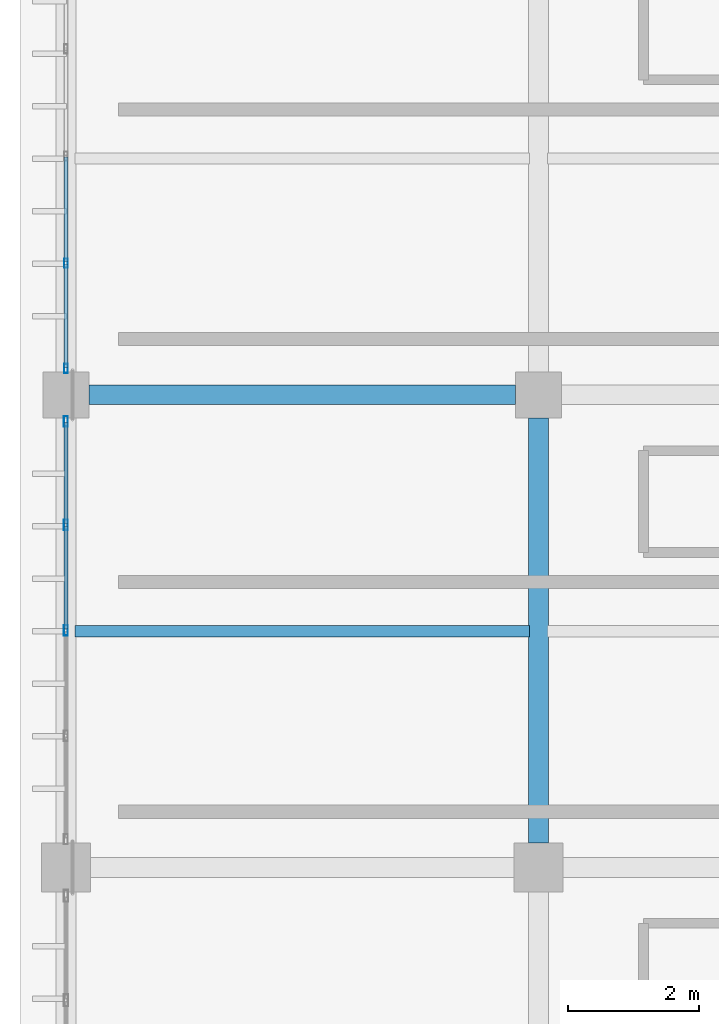
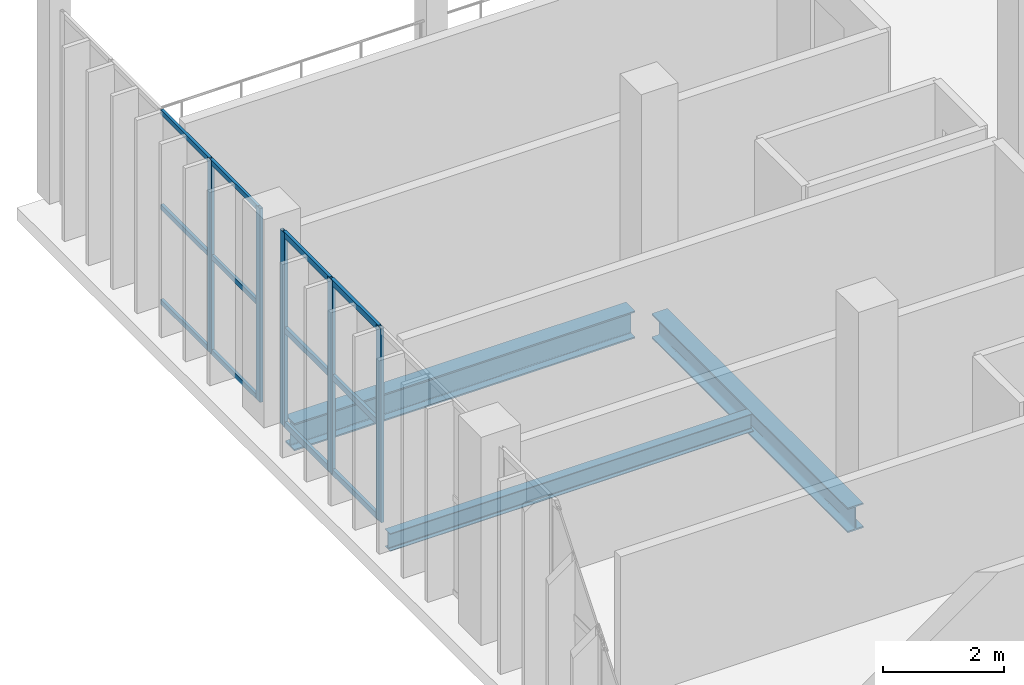
# One storey, part 56 of 130: 17 members, 3 beams, 2 elements without a shape of their own.
"""IFC4 building model written with IfcOpenShell, lengths in metres."""

from ifc_helpers import new_model, si_unit, direction, frame, origin, origin_2d, place, context, subcontext, project, spatial, hollow_rectangle, i_section, extrude, material, material_profile, profile_set, type_object, element, aggregate, save


model = new_model("IFC4")

# Units and contexts
model_context = context("Model", 3, precision=1e-05, world=origin(), true_north=direction((0.0, 1.0)))
body_context = subcontext(model_context, "Body", "Model", "MODEL_VIEW")
ifc_project = project(units=[si_unit("LENGTHUNIT", "METRE"), si_unit("AREAUNIT", "SQUARE_METRE"), si_unit("VOLUMEUNIT", "CUBIC_METRE"), si_unit("PLANEANGLEUNIT", "RADIAN"), si_unit("MASSUNIT", "GRAM", prefix="KILO")], contexts=[model_context])

# Site, building, storey
site_placement = place(None, origin())
site = spatial("IfcSite", under=ifc_project, at=site_placement, CompositionType="ELEMENT")
building_placement = place(site_placement, origin())
building = spatial("IfcBuilding", under=site, at=building_placement, Name="Qandorah Velis Arena", CompositionType="ELEMENT")
storey_placement = place(building_placement, frame((0.0, 0.0, 9.60009765625)))
storey = spatial("IfcBuildingStorey", under=building, at=storey_placement, Name="L02", CompositionType="ELEMENT", Elevation=9.60009765625)

# Curtain wall, members
ifc_material_1 = material(Name="Solar-control low-E double glazing", Category="glass")
curtain_wall_type_1 = type_object("IfcCurtainWallType", Name="ARC-CW-SYS20", PredefinedType="USERDEFINED", material=ifc_material_1)
curtain_wall_1_placement = place(storey_placement, origin())
curtain_wall_1 = element("IfcCurtainWall", 1, at=curtain_wall_1_placement, inside=storey, type_object=curtain_wall_type_1, Name="Unitised curtain wall L02-020", ObjectType="UNITISED CURTAIN WALL", PredefinedType="USERDEFINED")
ifc_material_2 = material(Name="Champagne-bronze anodized aluminium 6063-T6", Category="aluminium")
ifc_material_profile_1 = material_profile(ifc_material_2, hollow_rectangle(XDim=0.054931640625, YDim=0.139892578125, WallThickness=0.0029296875, at=origin_2d()), Name="ALU MULLION 55x140")
ifc_profile_set_1 = profile_set([ifc_material_profile_1], Name="Champagne-bronze anodized aluminium 6063-T6")
member_type_1 = type_object("IfcMemberType", Name="ARC-CWM-140", PredefinedType="MULLION", material=ifc_profile_set_1)
member_1_placement = place(storey_placement, frame((0.0, 108.402587890625, -0.01513671875), z_axis=(0.0, 0.0, 1.0), x_axis=(-1.0, 0.0, 0.0)))
member_1 = element("IfcMember", 2, at=member_1_placement, type_object=member_type_1, Name="CW20 mullion 1", PredefinedType="MULLION", context=body_context, shape_type="SweptSolid", body=[
    extrude(hollow_rectangle(XDim=0.054931640625, YDim=0.139892578125, WallThickness=0.0029296875, at=origin_2d()), origin(), (0.0, 0.0, 1.0), 3.91015625),
])
member_2_placement = place(storey_placement, frame((0.0, 110.00634765625, -0.01513671875), z_axis=(0.0, 0.0, 1.0), x_axis=(-1.0, 0.0, 0.0)))
member_2 = element("IfcMember", 3, at=member_2_placement, type_object=member_type_1, Name="CW20 mullion 2", PredefinedType="MULLION", context=body_context, shape_type="SweptSolid", body=[
    extrude(hollow_rectangle(XDim=0.054931640625, YDim=0.139892578125, WallThickness=0.0029296875, at=origin_2d()), origin(), (0.0, 0.0, 1.0), 3.91015625),
])

curtain_wall_type_2 = type_object("IfcCurtainWallType", Name="ARC-CW-SYS19", PredefinedType="USERDEFINED", material=ifc_material_1)
curtain_wall_2_placement = place(storey_placement, origin())
curtain_wall_2 = element("IfcCurtainWall", 4, at=curtain_wall_2_placement, inside=storey, type_object=curtain_wall_type_2, Name="Unitised curtain wall L02-019", ObjectType="UNITISED CURTAIN WALL", PredefinedType="USERDEFINED")
ifc_material_profile_2 = material_profile(ifc_material_2, hollow_rectangle(XDim=0.06005859375, YDim=0.159912109375, WallThickness=0.00341796875, at=origin_2d()), Name="ALU MULLION 60x160")
ifc_profile_set_2 = profile_set([ifc_material_profile_2], Name="Champagne-bronze anodized aluminium 6063-T6")
member_type_2 = type_object("IfcMemberType", Name="ARC-CWM-160", PredefinedType="MULLION", material=ifc_profile_set_2)
member_3_placement = place(storey_placement, frame((0.0, 104.41259765625, -0.01513671875), z_axis=(0.0, 0.0, 1.0), x_axis=(-1.0, 0.0, 0.0)))
member_3 = element("IfcMember", 5, at=member_3_placement, type_object=member_type_2, Name="CW19 mullion 3", PredefinedType="MULLION", context=body_context, shape_type="SweptSolid", body=[
    extrude(hollow_rectangle(XDim=0.06005859375, YDim=0.159912109375, WallThickness=0.00341796875, at=origin_2d()), origin(), (0.0, 0.0, 1.0), 3.91015625),
])
member_4_placement = place(storey_placement, frame((0.0, 106.018798828125, -0.01513671875), z_axis=(0.0, 0.0, 1.0), x_axis=(-1.0, 0.0, 0.0)))
member_4 = element("IfcMember", 6, at=member_4_placement, type_object=member_type_2, Name="CW19 mullion 4", PredefinedType="MULLION", context=body_context, shape_type="SweptSolid", body=[
    extrude(hollow_rectangle(XDim=0.06005859375, YDim=0.159912109375, WallThickness=0.00341796875, at=origin_2d()), origin(), (0.0, 0.0, 1.0), 3.91015625),
])
member_5_placement = place(storey_placement, frame((0.0, 107.594970703125, -0.01513671875), z_axis=(0.0, 0.0, 1.0), x_axis=(-1.0, 0.0, 0.0)))
member_5 = element("IfcMember", 7, at=member_5_placement, type_object=member_type_2, Name="CW19 mullion 5", PredefinedType="MULLION", context=body_context, shape_type="SweptSolid", body=[
    extrude(hollow_rectangle(XDim=0.06005859375, YDim=0.159912109375, WallThickness=0.00341796875, at=origin_2d()), origin(), (0.0, 0.0, 1.0), 3.91015625),
])

# Member
ifc_material_profile_3 = material_profile(ifc_material_2, hollow_rectangle(XDim=0.054931640625, YDim=0.10009765625, WallThickness=0.0029296875, at=origin_2d()), Name="ALU TRANSOM 55x100")
ifc_profile_set_3 = profile_set([ifc_material_profile_3], Name="Champagne-bronze anodized aluminium 6063-T6")
member_type_3 = type_object("IfcMemberType", Name="ARC-CWT-100", PredefinedType="USERDEFINED", material=ifc_profile_set_3)
member_6_placement = place(storey_placement, frame((0.0, 108.41796875, 0.02734375), z_axis=(0.0, 1.0, 0.0), x_axis=(-1.0, 0.0, 0.0)))
member_6 = element("IfcMember", 8, at=member_6_placement, type_object=member_type_3, Name="CW20 transom 1.1", ObjectType="TRANSOM", PredefinedType="USERDEFINED", context=body_context, shape_type="SweptSolid", body=[
    extrude(hollow_rectangle(XDim=0.054931640625, YDim=0.10009765625, WallThickness=0.0029296875, at=origin_2d()), origin(), (0.0, 0.0, 1.0), 1.57275390625),
])

member_7_placement = place(storey_placement, frame((0.0, 108.41796875, 1.93994140625), z_axis=(0.0, 1.0, 0.0), x_axis=(-1.0, 0.0, 0.0)))
member_7 = element("IfcMember", 9, at=member_7_placement, type_object=member_type_3, Name="CW20 transom 1.2", ObjectType="TRANSOM", PredefinedType="USERDEFINED", context=body_context, shape_type="SweptSolid", body=[
    extrude(hollow_rectangle(XDim=0.054931640625, YDim=0.10009765625, WallThickness=0.0029296875, at=origin_2d()), origin(), (0.0, 0.0, 1.0), 1.57275390625),
])

member_8_placement = place(storey_placement, frame((0.0, 108.41796875, 3.852294921875), z_axis=(0.0, 1.0, 0.0), x_axis=(-1.0, 0.0, 0.0)))
member_8 = element("IfcMember", 10, at=member_8_placement, type_object=member_type_3, Name="CW20 transom 1.3", ObjectType="TRANSOM", PredefinedType="USERDEFINED", context=body_context, shape_type="SweptSolid", body=[
    extrude(hollow_rectangle(XDim=0.054931640625, YDim=0.10009765625, WallThickness=0.0029296875, at=origin_2d()), origin(), (0.0, 0.0, 1.0), 1.57275390625),
])

member_9_placement = place(storey_placement, frame((0.0, 110.021728515625, 0.02734375), z_axis=(0.0, 1.0, 0.0), x_axis=(-1.0, 0.0, 0.0)))
member_9 = element("IfcMember", 11, at=member_9_placement, type_object=member_type_3, Name="CW20 transom 2.1", ObjectType="TRANSOM", PredefinedType="USERDEFINED", context=body_context, shape_type="SweptSolid", body=[
    extrude(hollow_rectangle(XDim=0.054931640625, YDim=0.10009765625, WallThickness=0.0029296875, at=origin_2d()), origin(), (0.0, 0.0, 1.0), 1.600341796875),
])

member_10_placement = place(storey_placement, frame((0.0, 110.021728515625, 1.93994140625), z_axis=(0.0, 1.0, 0.0), x_axis=(-1.0, 0.0, 0.0)))
member_10 = element("IfcMember", 12, at=member_10_placement, type_object=member_type_3, Name="CW20 transom 2.2", ObjectType="TRANSOM", PredefinedType="USERDEFINED", context=body_context, shape_type="SweptSolid", body=[
    extrude(hollow_rectangle(XDim=0.054931640625, YDim=0.10009765625, WallThickness=0.0029296875, at=origin_2d()), origin(), (0.0, 0.0, 1.0), 1.600341796875),
])

member_11_placement = place(storey_placement, frame((0.0, 110.021728515625, 3.852294921875), z_axis=(0.0, 1.0, 0.0), x_axis=(-1.0, 0.0, 0.0)))
member_11 = element("IfcMember", 13, at=member_11_placement, type_object=member_type_3, Name="CW20 transom 2.3", ObjectType="TRANSOM", PredefinedType="USERDEFINED", context=body_context, shape_type="SweptSolid", body=[
    extrude(hollow_rectangle(XDim=0.054931640625, YDim=0.10009765625, WallThickness=0.0029296875, at=origin_2d()), origin(), (0.0, 0.0, 1.0), 1.600341796875),
])

aggregate(curtain_wall_1, [member_1, member_2, member_6, member_7, member_8, member_9, member_10, member_11])

ifc_material_profile_4 = material_profile(ifc_material_2, hollow_rectangle(XDim=0.06005859375, YDim=0.1201171875, WallThickness=0.0029296875, at=origin_2d()), Name="ALU TRANSOM 60x120")
ifc_profile_set_4 = profile_set([ifc_material_profile_4], Name="Champagne-bronze anodized aluminium 6063-T6")
member_type_4 = type_object("IfcMemberType", Name="ARC-CWT-120", PredefinedType="USERDEFINED", material=ifc_profile_set_4)
member_12_placement = place(storey_placement, frame((0.0, 104.430419921875, 0.02978515625), z_axis=(0.0, 1.0, 0.0), x_axis=(-1.0, 0.0, 0.0)))
member_12 = element("IfcMember", 14, at=member_12_placement, type_object=member_type_4, Name="CW19 transom 3.1", ObjectType="TRANSOM", PredefinedType="USERDEFINED", context=body_context, shape_type="SweptSolid", body=[
    extrude(hollow_rectangle(XDim=0.06005859375, YDim=0.1201171875, WallThickness=0.0029296875, at=origin_2d()), origin(), (0.0, 0.0, 1.0), 1.5703125),
])

member_13_placement = place(storey_placement, frame((0.0, 104.430419921875, 1.93994140625), z_axis=(0.0, 1.0, 0.0), x_axis=(-1.0, 0.0, 0.0)))
member_13 = element("IfcMember", 15, at=member_13_placement, type_object=member_type_4, Name="CW19 transom 3.2", ObjectType="TRANSOM", PredefinedType="USERDEFINED", context=body_context, shape_type="SweptSolid", body=[
    extrude(hollow_rectangle(XDim=0.06005859375, YDim=0.1201171875, WallThickness=0.0029296875, at=origin_2d()), origin(), (0.0, 0.0, 1.0), 1.5703125),
])

member_14_placement = place(storey_placement, frame((0.0, 104.430419921875, 3.849853515625), z_axis=(0.0, 1.0, 0.0), x_axis=(-1.0, 0.0, 0.0)))
member_14 = element("IfcMember", 16, at=member_14_placement, type_object=member_type_4, Name="CW19 transom 3.3", ObjectType="TRANSOM", PredefinedType="USERDEFINED", context=body_context, shape_type="SweptSolid", body=[
    extrude(hollow_rectangle(XDim=0.06005859375, YDim=0.1201171875, WallThickness=0.0029296875, at=origin_2d()), origin(), (0.0, 0.0, 1.0), 1.5703125),
])

member_15_placement = place(storey_placement, frame((0.0, 106.03662109375, 0.02978515625), z_axis=(0.0, 1.0, 0.0), x_axis=(-1.0, 0.0, 0.0)))
member_15 = element("IfcMember", 17, at=member_15_placement, type_object=member_type_4, Name="CW19 transom 4.1", ObjectType="TRANSOM", PredefinedType="USERDEFINED", context=body_context, shape_type="SweptSolid", body=[
    extrude(hollow_rectangle(XDim=0.06005859375, YDim=0.1201171875, WallThickness=0.0029296875, at=origin_2d()), origin(), (0.0, 0.0, 1.0), 1.540283203125),
])

member_16_placement = place(storey_placement, frame((0.0, 106.03662109375, 1.93994140625), z_axis=(0.0, 1.0, 0.0), x_axis=(-1.0, 0.0, 0.0)))
member_16 = element("IfcMember", 18, at=member_16_placement, type_object=member_type_4, Name="CW19 transom 4.2", ObjectType="TRANSOM", PredefinedType="USERDEFINED", context=body_context, shape_type="SweptSolid", body=[
    extrude(hollow_rectangle(XDim=0.06005859375, YDim=0.1201171875, WallThickness=0.0029296875, at=origin_2d()), origin(), (0.0, 0.0, 1.0), 1.540283203125),
])

member_17_placement = place(storey_placement, frame((0.0, 106.03662109375, 3.849853515625), z_axis=(0.0, 1.0, 0.0), x_axis=(-1.0, 0.0, 0.0)))
member_17 = element("IfcMember", 19, at=member_17_placement, type_object=member_type_4, Name="CW19 transom 4.3", ObjectType="TRANSOM", PredefinedType="USERDEFINED", context=body_context, shape_type="SweptSolid", body=[
    extrude(hollow_rectangle(XDim=0.06005859375, YDim=0.1201171875, WallThickness=0.0029296875, at=origin_2d()), origin(), (0.0, 0.0, 1.0), 1.540283203125),
])

aggregate(curtain_wall_2, [member_3, member_4, member_5, member_12, member_13, member_14, member_15, member_16, member_17])

# Beams
ifc_material_3 = material(Name="Steel S355", Category="steel")
ifc_material_profile_5 = material_profile(ifc_material_3, i_section(OverallWidth=0.300048828125, OverallDepth=0.5, WebThickness=0.014404296875, FlangeThickness=0.028076171875, FilletRadius=0.027099609375, at=origin_2d()), Name="HEB 500")
ifc_profile_set_5 = profile_set([ifc_material_profile_5], Name="Steel S355")
beam_type_1 = type_object("IfcBeamType", Name="STR-BM-HEB500", PredefinedType="BEAM", material=ifc_profile_set_5)
beam_1_placement = place(storey_placement, frame((7.199951171875, 101.175048828125, -0.530029296875), z_axis=(0.0, 1.0, 0.0), x_axis=(-1.0, 0.0, 0.0)))
element("IfcBeam", 20, at=beam_1_placement, inside=storey, type_object=beam_type_1, Name="Primary floor girder L02 Y-210", PredefinedType="BEAM", context=body_context, shape_type="SweptSolid", body=[
    extrude(i_section(OverallWidth=0.300048828125, OverallDepth=0.5, WebThickness=0.014404296875, FlangeThickness=0.028076171875, FilletRadius=0.027099609375, at=origin_2d()), origin(), (0.0, 0.0, 1.0), 6.474853515625),
])
ifc_material_profile_6 = material_profile(ifc_material_3, i_section(OverallWidth=0.300048828125, OverallDepth=0.550048828125, WebThickness=0.014892578125, FlangeThickness=0.029052734375, FilletRadius=0.027099609375, at=origin_2d()), Name="HEB 550")
ifc_profile_set_6 = profile_set([ifc_material_profile_6], Name="Steel S355")
beam_type_2 = type_object("IfcBeamType", Name="STR-BM-HEB550", PredefinedType="BEAM", material=ifc_profile_set_6)
beam_2_placement = place(storey_placement, frame((0.35009765625, 108.0, -0.55517578125), z_axis=(1.0, 0.0, 0.0), x_axis=(0.0, 1.0, 0.0)))
element("IfcBeam", 21, at=beam_2_placement, inside=storey, type_object=beam_type_2, Name="Primary floor girder L02 X-127", PredefinedType="BEAM", context=body_context, shape_type="SweptSolid", body=[
    extrude(i_section(OverallWidth=0.300048828125, OverallDepth=0.550048828125, WebThickness=0.014892578125, FlangeThickness=0.029052734375, FilletRadius=0.027099609375, at=origin_2d()), origin(), (0.0, 0.0, 1.0), 6.5),
])
ifc_material_profile_7 = material_profile(ifc_material_3, i_section(OverallWidth=0.169921875, OverallDepth=0.360107421875, WebThickness=0.008056640625, FlangeThickness=0.0126953125, FilletRadius=0.01806640625, at=origin_2d()), Name="IPE 360")
ifc_profile_set_7 = profile_set([ifc_material_profile_7], Name="Steel S355")
beam_type_3 = type_object("IfcBeamType", Name="STR-JST-IPE360", PredefinedType="JOIST", material=ifc_profile_set_7)
beam_3_placement = place(storey_placement, frame((0.135009765625, 104.39990234375, -0.460205078125), z_axis=(1.0, 0.0, 0.0), x_axis=(0.0, 1.0, 0.0)))
element("IfcBeam", 22, at=beam_3_placement, inside=storey, type_object=beam_type_3, Name="Secondary floor joist L02-009", PredefinedType="JOIST", context=body_context, shape_type="SweptSolid", body=[
    extrude(i_section(OverallWidth=0.169921875, OverallDepth=0.360107421875, WebThickness=0.008056640625, FlangeThickness=0.0126953125, FilletRadius=0.01806640625, at=origin_2d()), origin(), (0.0, 0.0, 1.0), 6.929931640625),
])

save(model, "model.ifc")
